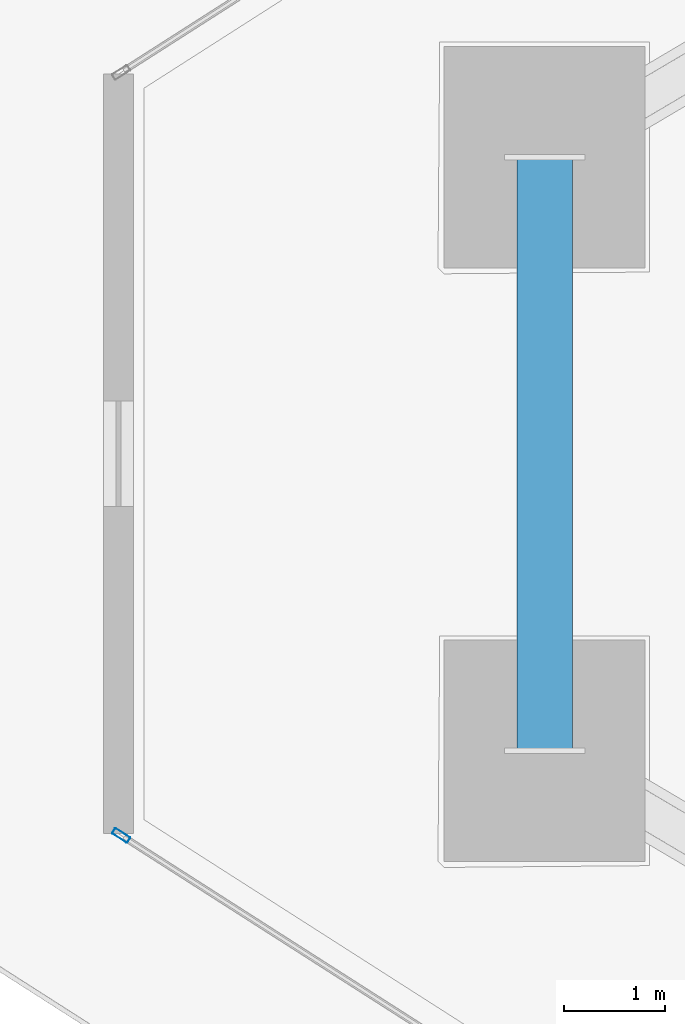
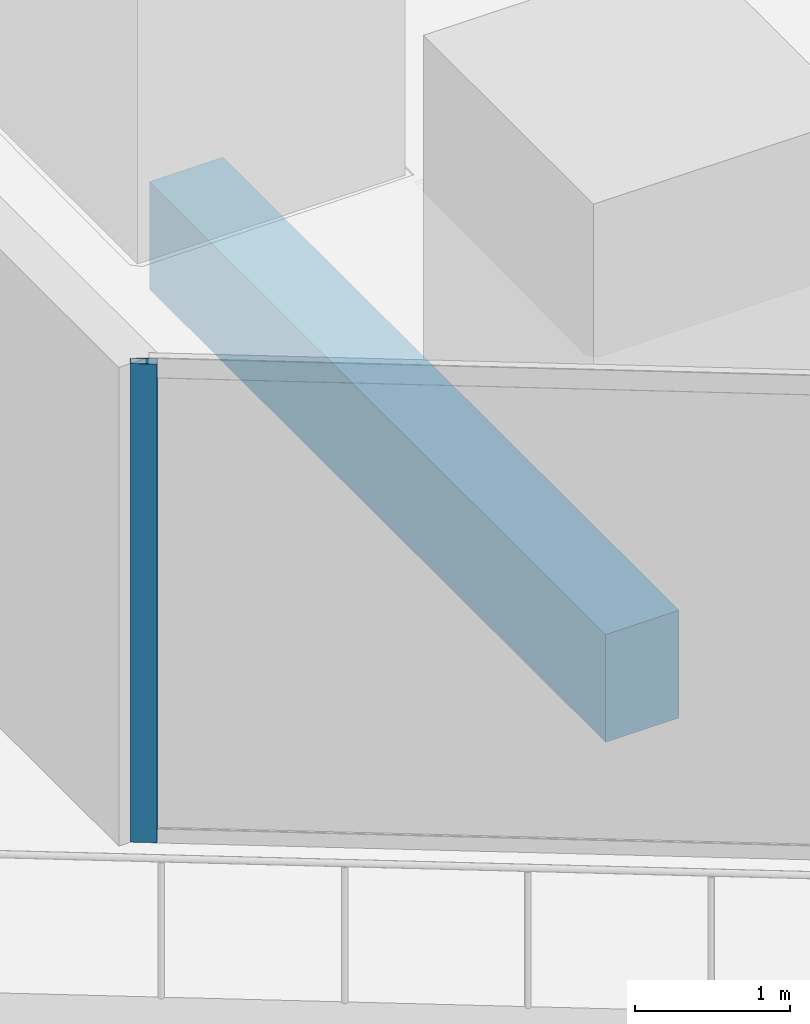
# One storey, part 5 of 40: 1 beam, 1 member, 1 element without a shape of its own.
"""IFC4 building model written with IfcOpenShell, lengths in metres."""

from ifc_helpers import new_model, si_unit, direction, frame, origin, origin_2d, place, context, subcontext, project, spatial, rectangle, hollow_rectangle, extrude, material, layer, layer_set, material_profile, profile_set, type_object, element, aggregate, save


model = new_model("IFC4")

# Units and contexts
model_context = context("Model", 3, precision=1e-05, world=origin(), true_north=direction((0.0, 1.0)))
body_context = subcontext(model_context, "Body", "Model", "MODEL_VIEW")
ifc_project = project(units=[si_unit("LENGTHUNIT", "METRE"), si_unit("AREAUNIT", "SQUARE_METRE"), si_unit("VOLUMEUNIT", "CUBIC_METRE"), si_unit("PLANEANGLEUNIT", "RADIAN"), si_unit("MASSUNIT", "GRAM", prefix="KILO")], contexts=[model_context])

# Site, building, storey
site_placement = place(None, origin())
site = spatial("IfcSite", under=ifc_project, at=site_placement, CompositionType="ELEMENT")
building_placement = place(site_placement, origin())
building = spatial("IfcBuilding", under=site, at=building_placement, Name="Qorvath Tower", CompositionType="ELEMENT")
storey_placement = place(building_placement, frame((0.0, 0.0, 138.14990234375)))
storey = spatial("IfcBuildingStorey", under=building, at=storey_placement, Name="L31", CompositionType="ELEMENT", Elevation=138.14990234375)

# Beam
ifc_material_1 = material(Name="Concrete C50/60", Category="concrete")
ifc_material_profile_1 = material_profile(ifc_material_1, rectangle(XDim=0.550048828125, YDim=0.85009765625, at=origin_2d()), Name="RCB 850x550")
ifc_profile_set_1 = profile_set([ifc_material_profile_1], Name="Concrete C50/60")
beam_type = type_object("IfcBeamType", Name="BM-RCB2", PredefinedType="SPANDREL", material=ifc_profile_set_1)
beam_placement = place(storey_placement, frame((-53.04931640625, 2.95068359375, -0.695068359375), z_axis=(0.0, -1.0, 0.0), x_axis=(1.0, 0.0, 0.0)))
element("IfcBeam", 1, at=beam_placement, inside=storey, type_object=beam_type, Name="Perimeter Loggia Frame Beam MC1-MC2 L31", PredefinedType="SPANDREL", context=body_context, shape_type="SweptSolid", body=[
    extrude(rectangle(XDim=0.550048828125, YDim=0.85009765625, at=origin_2d()), origin(), (0.0, 0.0, 1.0), 5.9013671875),
])

# Curtain wall, member
ifc_material_2 = material(Name="Anodised aluminium and triple low-E glass", Category="aluminium")
ifc_layer = layer(ifc_material_2, 0.179931640625)
ifc_layer_set = layer_set([ifc_layer], Name="CW-SYS-3")
curtain_wall_type = type_object("IfcCurtainWallType", Name="CW-SYS-3", PredefinedType="NOTDEFINED", material=ifc_layer_set)
curtain_wall_placement = place(storey_placement, origin())
curtain_wall = element("IfcCurtainWall", 2, at=curtain_wall_placement, inside=storey, type_object=curtain_wall_type, Name="Curtain Wall CW-3 CW-T-L31-2.1", PredefinedType="NOTDEFINED")
ifc_material_3 = material(Name="Anodised aluminium 6063-T6", Category="aluminium")
ifc_material_profile_2 = material_profile(ifc_material_3, hollow_rectangle(XDim=0.06494140625, YDim=0.179931640625, WallThickness=0.00341796875, InnerFilletRadius=0.00341796875, OuterFilletRadius=0.007080078125, at=origin_2d()), Name="CWM 180x65")
ifc_profile_set_2 = profile_set([ifc_material_profile_2], Name="Anodised aluminium 6063-T6")
member_type = type_object("IfcMemberType", Name="CWM-180", PredefinedType="MULLION", material=ifc_profile_set_2)
member_placement = place(storey_placement, frame((-57.259033203125, -3.79345703125, 0.0), z_axis=(0.0, 0.0, 1.0), x_axis=(0.538534399095, 0.842603525385, 0.0)))
member = element("IfcMember", 3, at=member_placement, type_object=member_type, Name="CW-3 mullion 1", PredefinedType="MULLION", context=body_context, shape_type="SweptSolid", body=[
    extrude(hollow_rectangle(XDim=0.06494140625, YDim=0.179931640625, WallThickness=0.00341796875, InnerFilletRadius=0.00341796875, OuterFilletRadius=0.007080078125, at=origin_2d()), origin(), (0.0, 0.0, 1.0), 3.780029296875),
])
aggregate(curtain_wall, [member])

save(model, "model.ifc")
